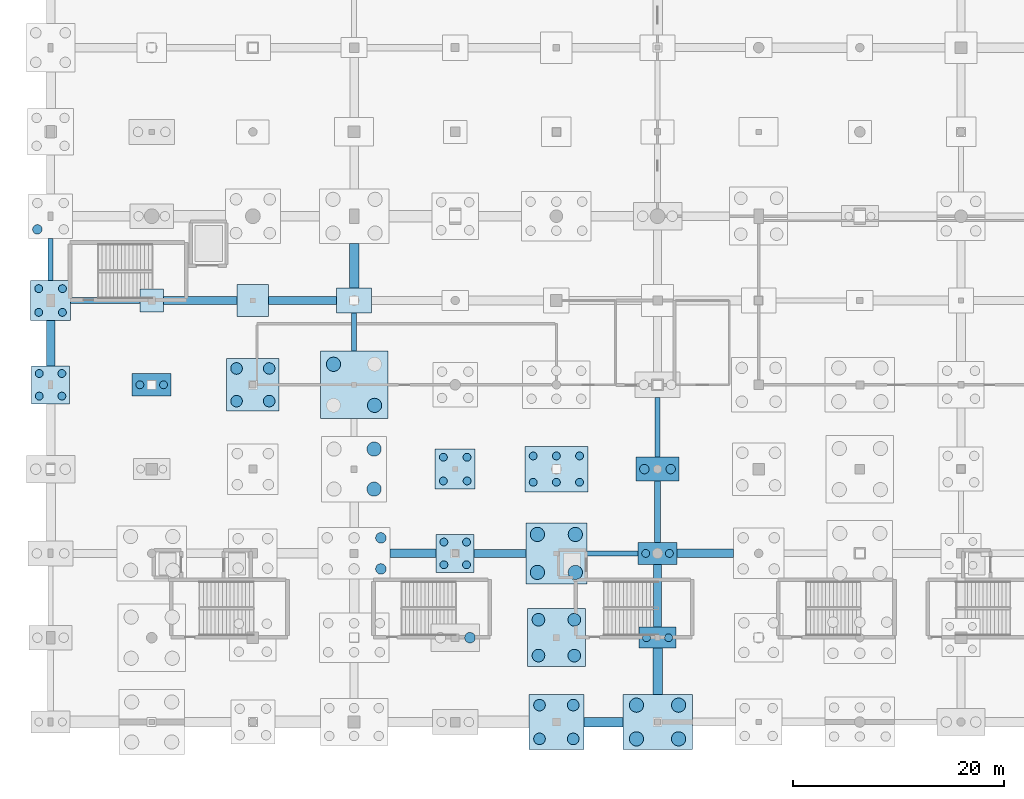
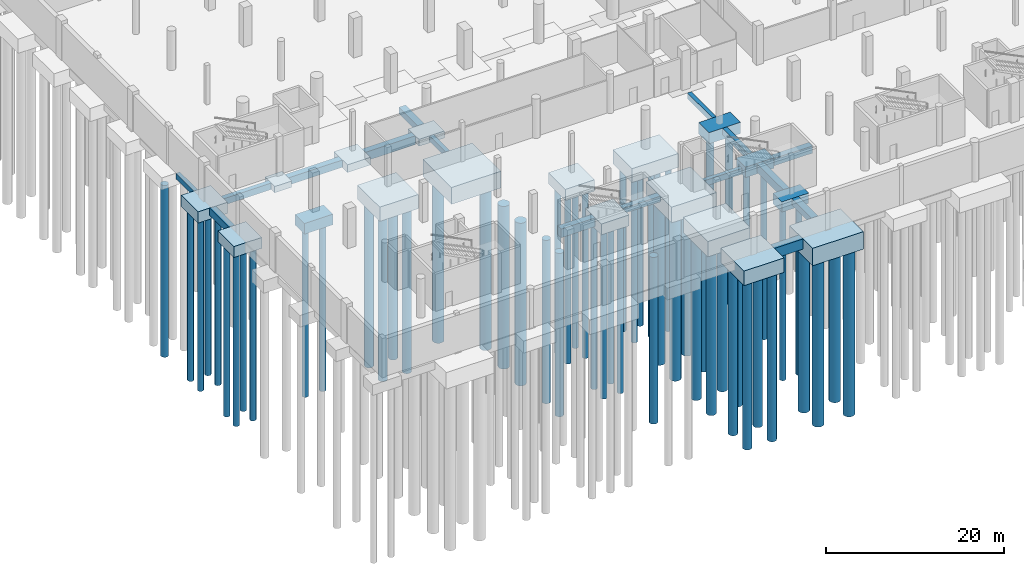
# One storey, part 2 of 44: 58 piles, 34 footings.
"""IFC4 building model written with IfcOpenShell, lengths in metres."""

from ifc_helpers import new_model, si_unit, direction, frame, origin, origin_2d, place, context, subcontext, project, spatial, rectangle, circle, extrude, material, material_profile, profile_set, type_object, element, save


model = new_model("IFC4")

# Units and contexts
model_context = context("Model", 3, precision=1e-05, world=origin(), true_north=direction((0.0, 1.0)))
body_context = subcontext(model_context, "Body", "Model", "MODEL_VIEW")
ifc_project = project(units=[si_unit("LENGTHUNIT", "METRE"), si_unit("AREAUNIT", "SQUARE_METRE"), si_unit("VOLUMEUNIT", "CUBIC_METRE"), si_unit("PLANEANGLEUNIT", "RADIAN"), si_unit("MASSUNIT", "GRAM", prefix="KILO")], contexts=[model_context])

# Site, building, storey
site_placement = place(None, origin())
site = spatial("IfcSite", under=ifc_project, at=site_placement, CompositionType="ELEMENT")
building_placement = place(site_placement, origin())
building = spatial("IfcBuilding", under=site, at=building_placement, Name="Danafjord Basin Convention Centre", CompositionType="ELEMENT")
storey_placement = place(building_placement, frame((0.0, 0.0, -5.39990234375)))
storey = spatial("IfcBuildingStorey", under=building, at=storey_placement, Name="B1", CompositionType="ELEMENT", Elevation=-5.39990234375)

# Footings
ifc_material_1 = material(Name="Concrete C40/50", Category="concrete")
footing_type_1 = type_object("IfcFootingType", Name="CAP-PC-01", PredefinedType="PILE_CAP", material=ifc_material_1)
footing_1_placement = place(storey_placement, frame((57.60009765625, 16.0, -1.400146484375), z_axis=(0.0, 0.0, 1.0), x_axis=(1.0, 0.0, 0.0)))
element("IfcFooting", 1, at=footing_1_placement, inside=storey, type_object=footing_type_1, Name="B1 pile cap PC-01 at (57.6, 16.0)", PredefinedType="PILE_CAP", context=body_context, shape_type="SweptSolid", body=[
    extrude(rectangle(XDim=3.5, YDim=2.0, at=origin_2d()), origin(), (0.0, 0.0, 1.0), 1.39990234375),
])
footing_type_2 = type_object("IfcFootingType", Name="CAP-PC-02", PredefinedType="PILE_CAP", material=ifc_material_1)
for number, where, z_axis, x_axis, name in (
    (2, (9.60009765625, 40.0, -2.10009765625), (0.0, 0.0, 1.0), (1.0, 0.0, 0.0), "B1 pile cap PC-02 at (9.6, 40.0)"),
    (3, (57.60009765625, 24.0, -1.4501953125), (0.0, 0.0, 1.0), (1.0, 0.0, 0.0), "B1 pile cap PC-02 at (57.6, 24.0)"),
):
    element("IfcFooting", number, at=place(storey_placement, frame(where, z_axis=z_axis, x_axis=x_axis)), inside=storey, type_object=footing_type_2, Name=name, PredefinedType="PILE_CAP", context=body_context, shape_type="SweptSolid", body=[
        extrude(rectangle(XDim=3.699951171875, YDim=2.10009765625, at=origin_2d()), origin(), (0.0, 0.0, 1.0), 1.449951171875),
    ])
footing_type_3 = type_object("IfcFootingType", Name="CAP-PC-03", PredefinedType="PILE_CAP", material=ifc_material_1)
footing_2_placement = place(storey_placement, frame((57.60009765625, 32.0, -1.55029296875), z_axis=(0.0, 0.0, 1.0), x_axis=(1.0, 0.0, 0.0)))
element("IfcFooting", 4, at=footing_2_placement, inside=storey, type_object=footing_type_3, Name="B1 pile cap PC-03 at (57.6, 32.0)", PredefinedType="PILE_CAP", context=body_context, shape_type="SweptSolid", body=[
    extrude(rectangle(XDim=4.10009765625, YDim=2.300048828125, at=origin_2d()), origin(), (0.0, 0.0, 1.0), 1.550048828125),
])
footing_type_4 = type_object("IfcFootingType", Name="CAP-PC-06", PredefinedType="PILE_CAP", material=ifc_material_1)
for number, where, z_axis, x_axis, name in (
    (5, (0.0, 40.0, -1.5), (0.0, 0.0, 1.0), (1.0, 0.0, 0.0), "B1 pile cap PC-06 at (0.0, 40.0)"),
    (6, (38.39990234375, 24.0, -2.150146484375), (0.0, 0.0, 1.0), (1.0, 0.0, 0.0), "B1 pile cap PC-06 at (38.4, 24.0)"),
):
    element("IfcFooting", number, at=place(storey_placement, frame(where, z_axis=z_axis, x_axis=x_axis)), inside=storey, type_object=footing_type_4, Name=name, PredefinedType="PILE_CAP", context=body_context, shape_type="SweptSolid", body=[
        extrude(rectangle(XDim=3.60009765625, YDim=3.60009765625, at=origin_2d()), origin(), (0.0, 0.0, 1.0), 1.5),
    ])
footing_type_5 = type_object("IfcFootingType", Name="CAP-PC-07", PredefinedType="PILE_CAP", material=ifc_material_1)
for number, where, z_axis, x_axis, name in (
    (7, (0.0, 48.0, -1.55029296875), (0.0, 0.0, 1.0), (1.0, 0.0, 0.0), "B1 pile cap PC-07 at (0.0, 48.0)"),
    (8, (38.39990234375, 32.0, -2.2001953125), (0.0, 0.0, 1.0), (1.0, 0.0, 0.0), "B1 pile cap PC-07 at (38.4, 32.0)"),
):
    element("IfcFooting", number, at=place(storey_placement, frame(where, z_axis=z_axis, x_axis=x_axis)), inside=storey, type_object=footing_type_5, Name=name, PredefinedType="PILE_CAP", context=body_context, shape_type="SweptSolid", body=[
        extrude(rectangle(XDim=3.800048828125, YDim=3.800048828125, at=origin_2d()), origin(), (0.0, 0.0, 1.0), 1.550048828125),
    ])
footing_type_6 = type_object("IfcFootingType", Name="CAP-PC-12", PredefinedType="PILE_CAP", material=ifc_material_1)
footing_3_placement = place(storey_placement, frame((19.199951171875, 40.0, -2.60009765625), z_axis=(0.0, 0.0, 1.0), x_axis=(1.0, 0.0, 0.0)))
element("IfcFooting", 9, at=footing_3_placement, inside=storey, type_object=footing_type_6, Name="B1 pile cap PC-12 at (19.2, 40.0)", PredefinedType="PILE_CAP", context=body_context, shape_type="SweptSolid", body=[
    extrude(rectangle(XDim=5.0, YDim=5.0, at=origin_2d()), origin(), (0.0, 0.0, 1.0), 1.949951171875),
])
footing_type_7 = type_object("IfcFootingType", Name="CAP-PC-13", PredefinedType="PILE_CAP", material=ifc_material_1)
footing_4_placement = place(storey_placement, frame((48.0, 8.0, -2.0), z_axis=(0.0, 0.0, 1.0), x_axis=(1.0, 0.0, 0.0)))
element("IfcFooting", 10, at=footing_4_placement, inside=storey, type_object=footing_type_7, Name="B1 pile cap PC-13 at (48.0, 8.0)", PredefinedType="PILE_CAP", context=body_context, shape_type="SweptSolid", body=[
    extrude(rectangle(XDim=5.199951171875, YDim=5.199951171875, at=origin_2d()), origin(), (0.0, 0.0, 1.0), 2.0),
])
footing_type_8 = type_object("IfcFootingType", Name="CAP-PC-14", PredefinedType="PILE_CAP", material=ifc_material_1)
footing_5_placement = place(storey_placement, frame((48.0, 16.0, -2.750244140625), z_axis=(0.0, 0.0, 1.0), x_axis=(1.0, 0.0, 0.0)))
element("IfcFooting", 11, at=footing_5_placement, inside=storey, type_object=footing_type_8, Name="B1 pile cap PC-14 at (48.0, 16.0)", PredefinedType="PILE_CAP", context=body_context, shape_type="SweptSolid", body=[
    extrude(rectangle(XDim=5.5, YDim=5.5, at=origin_2d()), origin(), (0.0, 0.0, 1.0), 2.10009765625),
])
footing_type_9 = type_object("IfcFootingType", Name="CAP-PC-15", PredefinedType="PILE_CAP", material=ifc_material_1)
footing_6_placement = place(storey_placement, frame((48.0, 24.0, -2.800048828125), z_axis=(0.0, 0.0, 1.0), x_axis=(1.0, 0.0, 0.0)))
element("IfcFooting", 12, at=footing_6_placement, inside=storey, type_object=footing_type_9, Name="B1 pile cap PC-15 at (48.0, 24.0)", PredefinedType="PILE_CAP", context=body_context, shape_type="SweptSolid", body=[
    extrude(rectangle(XDim=5.800048828125, YDim=5.800048828125, at=origin_2d()), origin(), (0.0, 0.0, 1.0), 2.14990234375),
])
footing_type_10 = type_object("IfcFootingType", Name="CAP-PC-16", PredefinedType="PILE_CAP", material=ifc_material_1)
footing_7_placement = place(storey_placement, frame((48.0, 32.0, -2.550048828125), z_axis=(0.0, 0.0, 1.0), x_axis=(1.0, 0.0, 0.0)))
element("IfcFooting", 13, at=footing_7_placement, inside=storey, type_object=footing_type_10, Name="B1 pile cap PC-16 at (48.0, 32.0)", PredefinedType="PILE_CAP", context=body_context, shape_type="SweptSolid", body=[
    extrude(rectangle(XDim=6.0, YDim=4.300048828125, at=origin_2d()), origin(), (0.0, 0.0, 1.0), 1.89990234375),
])
footing_type_11 = type_object("IfcFootingType", Name="CAP-PC-21", PredefinedType="PILE_CAP", material=ifc_material_1)
footing_8_placement = place(storey_placement, frame((28.800048828125, 40.0, -2.9501953125), z_axis=(0.0, 0.0, 1.0), x_axis=(1.0, 0.0, 0.0)))
element("IfcFooting", 14, at=footing_8_placement, inside=storey, type_object=footing_type_11, Name="B1 pile cap PC-21 at (28.8, 40.0)", PredefinedType="PILE_CAP", context=body_context, shape_type="SweptSolid", body=[
    extrude(rectangle(XDim=6.39990234375, YDim=6.39990234375, at=origin_2d()), origin(), (0.0, 0.0, 1.0), 2.300048828125),
])
footing_type_12 = type_object("IfcFootingType", Name="CAP-PC-22", PredefinedType="PILE_CAP", material=ifc_material_1)
footing_9_placement = place(storey_placement, frame((57.60009765625, 8.0, -2.400146484375), z_axis=(0.0, 0.0, 1.0), x_axis=(1.0, 0.0, 0.0)))
element("IfcFooting", 15, at=footing_9_placement, inside=storey, type_object=footing_type_12, Name="B1 pile cap PC-22 at (57.6, 8.0)", PredefinedType="PILE_CAP", context=body_context, shape_type="SweptSolid", body=[
    extrude(rectangle(XDim=6.60009765625, YDim=5.199951171875, at=origin_2d()), origin(), (0.0, 0.0, 1.0), 2.39990234375),
])
ifc_material_profile_1 = material_profile(ifc_material_1, rectangle(XDim=0.800048828125, YDim=1.0, at=origin_2d()), Name="GB 800x1000")
ifc_profile_set_1 = profile_set([ifc_material_profile_1], Name="Concrete C40/50")
footing_type_13 = type_object("IfcFootingType", Name="FBM-FB-01", PredefinedType="FOOTING_BEAM", material=ifc_profile_set_1)
footing_10_placement = place(storey_placement, frame((0.0, 41.800048828125, -0.5), z_axis=(0.0, 1.0, 0.0), x_axis=(-1.0, 0.0, 0.0)))
element("IfcFooting", 16, at=footing_10_placement, inside=storey, type_object=footing_type_13, Name="B1 foundation tie beam FB-01", PredefinedType="FOOTING_BEAM", context=body_context, shape_type="SweptSolid", body=[
    extrude(rectangle(XDim=0.800048828125, YDim=1.0, at=origin_2d()), origin(), (0.0, 0.0, 1.0), 4.300048828125),
])
footing_11_placement = place(storey_placement, frame((10.699951171875, 48.0, -1.150146484375), z_axis=(1.0, 0.0, 0.0), x_axis=(0.0, 1.0, 0.0)))
element("IfcFooting", 17, at=footing_11_placement, inside=storey, type_object=footing_type_13, Name="B1 foundation beam FB-01", PredefinedType="FOOTING_BEAM", context=body_context, shape_type="SweptSolid", body=[
    extrude(rectangle(XDim=0.800048828125, YDim=1.0, at=origin_2d()), origin(), (0.0, 0.0, 1.0), 7.0),
])
footing_12_placement = place(storey_placement, frame((59.449951171875, 24.0, -1.150146484375), z_axis=(1.0, 0.0, 0.0), x_axis=(0.0, 1.0, 0.0)))
element("IfcFooting", 18, at=footing_12_placement, inside=storey, type_object=footing_type_13, Name="B1 foundation beam FB-01", PredefinedType="FOOTING_BEAM", context=body_context, shape_type="SweptSolid", body=[
    extrude(rectangle(XDim=0.800048828125, YDim=1.0, at=origin_2d()), origin(), (0.0, 0.0, 1.0), 5.35009765625),
])
ifc_material_profile_2 = material_profile(ifc_material_1, rectangle(XDim=0.60009765625, YDim=0.89990234375, at=origin_2d()), Name="GB 600x900")
ifc_profile_set_2 = profile_set([ifc_material_profile_2], Name="Concrete C40/50")
footing_type_14 = type_object("IfcFootingType", Name="FBM-FB-02", PredefinedType="FOOTING_BEAM", material=ifc_profile_set_2)
footing_13_placement = place(storey_placement, frame((1.89990234375, 48.0, -1.10009765625), z_axis=(1.0, 0.0, 0.0), x_axis=(0.0, 1.0, 0.0)))
element("IfcFooting", 19, at=footing_13_placement, inside=storey, type_object=footing_type_14, Name="B1 foundation beam FB-02", PredefinedType="FOOTING_BEAM", context=body_context, shape_type="SweptSolid", body=[
    extrude(rectangle(XDim=0.60009765625, YDim=0.89990234375, at=origin_2d()), origin(), (0.0, 0.0, 1.0), 6.60009765625),
])
footing_14_placement = place(storey_placement, frame((57.60009765625, 25.050048828125, -0.4501953125), z_axis=(0.0, 1.0, 0.0), x_axis=(-1.0, 0.0, 0.0)))
element("IfcFooting", 20, at=footing_14_placement, inside=storey, type_object=footing_type_14, Name="B1 foundation tie beam FB-02", PredefinedType="FOOTING_BEAM", context=body_context, shape_type="SweptSolid", body=[
    extrude(rectangle(XDim=0.60009765625, YDim=0.89990234375, at=origin_2d()), origin(), (0.0, 0.0, 1.0), 5.800048828125),
])
ifc_material_profile_3 = material_profile(ifc_material_1, rectangle(XDim=0.5, YDim=0.800048828125, at=origin_2d()), Name="PCB 500x800")
ifc_profile_set_3 = profile_set([ifc_material_profile_3], Name="Concrete C40/50")
footing_type_15 = type_object("IfcFootingType", Name="FBM-FB-03", PredefinedType="FOOTING_BEAM", material=ifc_profile_set_3)
footing_15_placement = place(storey_placement, frame((0.0, 49.89990234375, -0.400146484375), z_axis=(0.0, 1.0, 0.0), x_axis=(-1.0, 0.0, 0.0)))
element("IfcFooting", 21, at=footing_15_placement, inside=storey, type_object=footing_type_15, Name="B1 foundation tie beam FB-03", PredefinedType="FOOTING_BEAM", context=body_context, shape_type="SweptSolid", body=[
    extrude(rectangle(XDim=0.5, YDim=0.800048828125, at=origin_2d()), origin(), (0.0, 0.0, 1.0), 4.0),
])
footing_16_placement = place(storey_placement, frame((28.800048828125, 43.199951171875, -1.050048828125), z_axis=(0.0, 1.0, 0.0), x_axis=(-1.0, 0.0, 0.0)))
element("IfcFooting", 22, at=footing_16_placement, inside=storey, type_object=footing_type_15, Name="B1 foundation tie beam FB-03", PredefinedType="FOOTING_BEAM", context=body_context, shape_type="SweptSolid", body=[
    extrude(rectangle(XDim=0.5, YDim=0.800048828125, at=origin_2d()), origin(), (0.0, 0.0, 1.0), 3.60009765625),
])
footing_17_placement = place(storey_placement, frame((50.89990234375, 24.0, -1.050048828125), z_axis=(1.0, 0.0, 0.0), x_axis=(0.0, 1.0, 0.0)))
element("IfcFooting", 23, at=footing_17_placement, inside=storey, type_object=footing_type_15, Name="B1 foundation beam FB-03", PredefinedType="FOOTING_BEAM", context=body_context, shape_type="SweptSolid", body=[
    extrude(rectangle(XDim=0.5, YDim=0.800048828125, at=origin_2d()), origin(), (0.0, 0.0, 1.0), 4.85009765625),
])
footing_18_placement = place(storey_placement, frame((57.60009765625, 33.14990234375, -0.400146484375), z_axis=(0.0, 1.0, 0.0), x_axis=(-1.0, 0.0, 0.0)))
element("IfcFooting", 24, at=footing_18_placement, inside=storey, type_object=footing_type_15, Name="B1 foundation tie beam FB-03", PredefinedType="FOOTING_BEAM", context=body_context, shape_type="SweptSolid", body=[
    extrude(rectangle(XDim=0.5, YDim=0.800048828125, at=origin_2d()), origin(), (0.0, 0.0, 1.0), 5.650146484375),
])
ifc_material_profile_4 = material_profile(ifc_material_1, rectangle(XDim=0.75, YDim=0.75, at=origin_2d()), Name="RC 750x750")
ifc_profile_set_4 = profile_set([ifc_material_profile_4], Name="Concrete C40/50")
footing_type_16 = type_object("IfcFootingType", Name="FBM-FB-04", PredefinedType="FOOTING_BEAM", material=ifc_profile_set_4)
footing_19_placement = place(storey_placement, frame((40.199951171875, 24.0, -1.025146484375), z_axis=(1.0, 0.0, 0.0), x_axis=(0.0, 1.0, 0.0)))
element("IfcFooting", 25, at=footing_19_placement, inside=storey, type_object=footing_type_16, Name="B1 foundation beam FB-04", PredefinedType="FOOTING_BEAM", context=body_context, shape_type="SweptSolid", body=[
    extrude(rectangle(XDim=0.75, YDim=0.75, at=origin_2d()), origin(), (0.0, 0.0, 1.0), 4.900146484375),
])
ifc_material_profile_5 = material_profile(ifc_material_1, rectangle(XDim=0.89990234375, YDim=0.89990234375, at=origin_2d()), Name="RC 900x900")
ifc_profile_set_5 = profile_set([ifc_material_profile_5], Name="Concrete C40/50")
footing_type_17 = type_object("IfcFootingType", Name="FBM-FB-05", PredefinedType="FOOTING_BEAM", material=ifc_profile_set_5)
footing_20_placement = place(storey_placement, frame((28.800048828125, 49.199951171875, -1.10009765625), z_axis=(0.0, 1.0, 0.0), x_axis=(-1.0, 0.0, 0.0)))
element("IfcFooting", 26, at=footing_20_placement, inside=storey, type_object=footing_type_17, Name="B1 foundation tie beam FB-05", PredefinedType="FOOTING_BEAM", context=body_context, shape_type="SweptSolid", body=[
    extrude(rectangle(XDim=0.89990234375, YDim=0.89990234375, at=origin_2d()), origin(), (0.0, 0.0, 1.0), 4.199951171875),
])
footing_21_placement = place(storey_placement, frame((57.60009765625, 10.60009765625, -0.4501953125), z_axis=(0.0, 1.0, 0.0), x_axis=(-1.0, 0.0, 0.0)))
element("IfcFooting", 27, at=footing_21_placement, inside=storey, type_object=footing_type_17, Name="B1 foundation tie beam FB-05", PredefinedType="FOOTING_BEAM", context=body_context, shape_type="SweptSolid", body=[
    extrude(rectangle(XDim=0.89990234375, YDim=0.89990234375, at=origin_2d()), origin(), (0.0, 0.0, 1.0), 4.39990234375),
])
ifc_material_profile_6 = material_profile(ifc_material_1, rectangle(XDim=0.800048828125, YDim=1.199951171875, at=origin_2d()), Name="RC 1200x800")
ifc_profile_set_6 = profile_set([ifc_material_profile_6], Name="Concrete C40/50")
footing_type_18 = type_object("IfcFootingType", Name="FBM-FB-06", PredefinedType="FOOTING_BEAM", material=ifc_profile_set_6)
footing_22_placement = place(storey_placement, frame((20.699951171875, 48.0, -1.25), z_axis=(1.0, 0.0, 0.0), x_axis=(0.0, 1.0, 0.0)))
element("IfcFooting", 28, at=footing_22_placement, inside=storey, type_object=footing_type_18, Name="B1 foundation beam FB-06", PredefinedType="FOOTING_BEAM", context=body_context, shape_type="SweptSolid", body=[
    extrude(rectangle(XDim=0.800048828125, YDim=1.199951171875, at=origin_2d()), origin(), (0.0, 0.0, 1.0), 6.449951171875),
])
footing_23_placement = place(storey_placement, frame((32.199951171875, 24.0, -1.25), z_axis=(1.0, 0.0, 0.0), x_axis=(0.0, 1.0, 0.0)))
element("IfcFooting", 29, at=footing_23_placement, inside=storey, type_object=footing_type_18, Name="B1 foundation beam FB-06", PredefinedType="FOOTING_BEAM", context=body_context, shape_type="SweptSolid", body=[
    extrude(rectangle(XDim=0.800048828125, YDim=1.199951171875, at=origin_2d()), origin(), (0.0, 0.0, 1.0), 4.400146484375),
])
footing_24_placement = place(storey_placement, frame((57.60009765625, 17.0, -0.60009765625), z_axis=(0.0, 1.0, 0.0), x_axis=(-1.0, 0.0, 0.0)))
element("IfcFooting", 30, at=footing_24_placement, inside=storey, type_object=footing_type_18, Name="B1 foundation tie beam FB-06", PredefinedType="FOOTING_BEAM", context=body_context, shape_type="SweptSolid", body=[
    extrude(rectangle(XDim=0.800048828125, YDim=1.199951171875, at=origin_2d()), origin(), (0.0, 0.0, 1.0), 5.949951171875),
])
ifc_material_profile_7 = material_profile(ifc_material_1, rectangle(XDim=0.89990234375, YDim=1.39990234375, at=origin_2d()), Name="RC 1400x900")
ifc_profile_set_7 = profile_set([ifc_material_profile_7], Name="Concrete C40/50")
footing_type_19 = type_object("IfcFootingType", Name="FBM-SF-02", PredefinedType="STRIP_FOOTING", material=ifc_profile_set_7)
footing_25_placement = place(storey_placement, frame((50.60009765625, 8.0, -0.7001953125), z_axis=(1.0, 0.0, 0.0), x_axis=(0.0, 1.0, 0.0)))
element("IfcFooting", 31, at=footing_25_placement, inside=storey, type_object=footing_type_19, Name="B1 foundation beam SF-02", PredefinedType="STRIP_FOOTING", context=body_context, shape_type="SweptSolid", body=[
    extrude(rectangle(XDim=0.89990234375, YDim=1.39990234375, at=origin_2d()), origin(), (0.0, 0.0, 1.0), 3.699951171875),
])
ifc_material_2 = material(Name="Concrete C35/45", Category="concrete")
footing_type_20 = type_object("IfcFootingType", Name="PAD-PF-02", PredefinedType="PAD_FOOTING", material=ifc_material_2)
footing_26_placement = place(storey_placement, frame((9.60009765625, 48.0, -1.500244140625), z_axis=(0.0, 0.0, 1.0), x_axis=(1.0, 0.0, 0.0)))
element("IfcFooting", 32, at=footing_26_placement, inside=storey, type_object=footing_type_20, Name="B1 pad footing PF-02 at (9.6, 48.0)", PredefinedType="PAD_FOOTING", context=body_context, shape_type="SweptSolid", body=[
    extrude(rectangle(XDim=2.199951171875, YDim=2.199951171875, at=origin_2d()), origin(), (0.0, 0.0, 1.0), 0.85009765625),
])
footing_type_21 = type_object("IfcFootingType", Name="PAD-PF-06", PredefinedType="PAD_FOOTING", material=ifc_material_2)
footing_27_placement = place(storey_placement, frame((19.199951171875, 48.0, -1.7001953125), z_axis=(0.0, 0.0, 1.0), x_axis=(1.0, 0.0, 0.0)))
element("IfcFooting", 33, at=footing_27_placement, inside=storey, type_object=footing_type_21, Name="B1 pad footing PF-06 at (19.2, 48.0)", PredefinedType="PAD_FOOTING", context=body_context, shape_type="SweptSolid", body=[
    extrude(rectangle(XDim=3.0, YDim=3.0, at=origin_2d()), origin(), (0.0, 0.0, 1.0), 1.050048828125),
])
footing_type_22 = type_object("IfcFootingType", Name="PAD-PF-09", PredefinedType="PAD_FOOTING", material=ifc_material_2)
footing_28_placement = place(storey_placement, frame((28.800048828125, 48.0, -1.60009765625), z_axis=(0.0, 0.0, 1.0), x_axis=(1.0, 0.0, 0.0)))
element("IfcFooting", 34, at=footing_28_placement, inside=storey, type_object=footing_type_22, Name="B1 pad footing PF-09 at (28.8, 48.0)", PredefinedType="PAD_FOOTING", context=body_context, shape_type="SweptSolid", body=[
    extrude(rectangle(XDim=3.300048828125, YDim=2.39990234375, at=origin_2d()), origin(), (0.0, 0.0, 1.0), 0.949951171875),
])

# Piles
ifc_material_profile_8 = material_profile(ifc_material_1, circle(Radius=0.5, at=origin_2d()), Name="PILE D1000")
ifc_profile_set_8 = profile_set([ifc_material_profile_8], Name="Concrete C40/50")
pile_type_1 = type_object("IfcPileType", Name="PILE-PL-1000", PredefinedType="BORED", material=ifc_profile_set_8)
for number, where, z_axis, x_axis, name in (
    (35, (31.35009765625, 22.52490234375, -2.7001953125), (0.0, 0.0, -1.0), (1.0, 0.0, 0.0), "PC-19 bored pile 3-1"),
    (36, (31.35009765625, 25.47509765625, -2.7001953125), (0.0, 0.0, -1.0), (1.0, 0.0, 0.0), "PC-19 bored pile 3-2"),
):
    element("IfcPile", number, at=place(storey_placement, frame(where, z_axis=z_axis, x_axis=x_axis)), inside=storey, type_object=pile_type_1, Name=name, PredefinedType="BORED", context=body_context, shape_type="SweptSolid", body=[
        extrude(circle(Radius=0.5, at=origin_2d()), origin(), (0.0, 0.0, 1.0), 22.39990234375),
    ])
pile_1_placement = place(storey_placement, frame((39.800048828125, 16.0, -2.25), z_axis=(0.0, 0.0, -1.0), x_axis=(1.0, 0.0, 0.0)))
element("IfcPile", 37, at=pile_1_placement, inside=storey, type_object=pile_type_1, Name="PC-05 bored pile 2-1", PredefinedType="BORED", context=body_context, shape_type="SweptSolid", body=[
    extrude(circle(Radius=0.5, at=origin_2d()), origin(), (0.0, 0.0, 1.0), 22.85009765625),
])
ifc_material_profile_9 = material_profile(ifc_material_1, circle(Radius=0.550048828125, at=origin_2d()), Name="PILE D1100")
ifc_profile_set_9 = profile_set([ifc_material_profile_9], Name="Concrete C40/50")
pile_type_2 = type_object("IfcPileType", Name="PILE-PL-1100", PredefinedType="BORED", material=ifc_profile_set_9)
for number, where, z_axis, x_axis, name in (
    (38, (17.64990234375, 38.449951171875, -2.5), (0.0, 0.0, -1.0), (1.0, 0.0, 0.0), "PC-12 bored pile 1-1"),
    (39, (17.64990234375, 41.550048828125, -2.5), (0.0, 0.0, -1.0), (1.0, 0.0, 0.0), "PC-12 bored pile 1-2"),
    (40, (20.75, 38.449951171875, -2.5), (0.0, 0.0, -1.0), (1.0, 0.0, 0.0), "PC-12 bored pile 2-1"),
    (41, (20.75, 41.550048828125, -2.5), (0.0, 0.0, -1.0), (1.0, 0.0, 0.0), "PC-12 bored pile 2-2"),
):
    element("IfcPile", number, at=place(storey_placement, frame(where, z_axis=z_axis, x_axis=x_axis)), inside=storey, type_object=pile_type_2, Name=name, PredefinedType="BORED", context=body_context, shape_type="SweptSolid", body=[
        extrude(circle(Radius=0.550048828125, at=origin_2d()), origin(), (0.0, 0.0, 1.0), 22.60009765625),
    ])
for number, where, z_axis, x_axis, name in (
    (42, (46.39990234375, 6.39990234375, -1.900146484375), (0.0, 0.0, -1.0), (1.0, 0.0, 0.0), "PC-13 bored pile 1-1"),
    (43, (46.39990234375, 9.60009765625, -1.900146484375), (0.0, 0.0, -1.0), (1.0, 0.0, 0.0), "PC-13 bored pile 1-2"),
    (44, (49.60009765625, 6.39990234375, -1.900146484375), (0.0, 0.0, -1.0), (1.0, 0.0, 0.0), "PC-13 bored pile 2-1"),
    (45, (49.60009765625, 9.60009765625, -1.900146484375), (0.0, 0.0, -1.0), (1.0, 0.0, 0.0), "PC-13 bored pile 2-2"),
):
    element("IfcPile", number, at=place(storey_placement, frame(where, z_axis=z_axis, x_axis=x_axis)), inside=storey, type_object=pile_type_2, Name=name, PredefinedType="BORED", context=body_context, shape_type="SweptSolid", body=[
        extrude(circle(Radius=0.550048828125, at=origin_2d()), origin(), (0.0, 0.0, 1.0), 23.199951171875),
    ])
ifc_material_profile_10 = material_profile(ifc_material_1, circle(Radius=0.60009765625, at=origin_2d()), Name="PILE D1200")
ifc_profile_set_10 = profile_set([ifc_material_profile_10], Name="Concrete C40/50")
pile_type_3 = type_object("IfcPileType", Name="PILE-PL-1200", PredefinedType="BORED", material=ifc_profile_set_10)
for number, where, z_axis, x_axis, name in (
    (46, (46.300048828125, 14.300048828125, -2.650146484375), (0.0, 0.0, -1.0), (1.0, 0.0, 0.0), "PC-14 bored pile 1-1"),
    (47, (46.300048828125, 17.699951171875, -2.650146484375), (0.0, 0.0, -1.0), (1.0, 0.0, 0.0), "PC-14 bored pile 1-2"),
    (48, (49.699951171875, 14.300048828125, -2.650146484375), (0.0, 0.0, -1.0), (1.0, 0.0, 0.0), "PC-14 bored pile 2-1"),
    (49, (49.699951171875, 17.699951171875, -2.650146484375), (0.0, 0.0, -1.0), (1.0, 0.0, 0.0), "PC-14 bored pile 2-2"),
):
    element("IfcPile", number, at=place(storey_placement, frame(where, z_axis=z_axis, x_axis=x_axis)), inside=storey, type_object=pile_type_3, Name=name, PredefinedType="BORED", context=body_context, shape_type="SweptSolid", body=[
        extrude(circle(Radius=0.60009765625, at=origin_2d()), origin(), (0.0, 0.0, 1.0), 22.449951171875),
    ])
ifc_material_profile_11 = material_profile(ifc_material_1, circle(Radius=0.675048828125, at=origin_2d()), Name="PILE D1350")
ifc_profile_set_11 = profile_set([ifc_material_profile_11], Name="Concrete C40/50")
pile_type_4 = type_object("IfcPileType", Name="PILE-PL-1350", PredefinedType="BORED", material=ifc_profile_set_11)
for number, where, z_axis, x_axis, name in (
    (50, (30.699951171875, 30.10009765625, -2.800048828125), (0.0, 0.0, -1.0), (1.0, 0.0, 0.0), "PC-20 bored pile 2-1"),
    (51, (30.699951171875, 33.89990234375, -2.800048828125), (0.0, 0.0, -1.0), (1.0, 0.0, 0.0), "PC-20 bored pile 2-2"),
):
    element("IfcPile", number, at=place(storey_placement, frame(where, z_axis=z_axis, x_axis=x_axis)), inside=storey, type_object=pile_type_4, Name=name, PredefinedType="BORED", context=body_context, shape_type="SweptSolid", body=[
        extrude(circle(Radius=0.675048828125, at=origin_2d()), origin(), (0.0, 0.0, 1.0), 22.300048828125),
    ])
for number, where, z_axis, x_axis, name in (
    (52, (26.85009765625, 41.949951171875, -2.85009765625), (0.0, 0.0, -1.0), (1.0, 0.0, 0.0), "PC-21 bored pile 1-2"),
    (53, (30.75, 38.050048828125, -2.85009765625), (0.0, 0.0, -1.0), (1.0, 0.0, 0.0), "PC-21 bored pile 2-1"),
):
    element("IfcPile", number, at=place(storey_placement, frame(where, z_axis=z_axis, x_axis=x_axis)), inside=storey, type_object=pile_type_4, Name=name, PredefinedType="BORED", context=body_context, shape_type="SweptSolid", body=[
        extrude(circle(Radius=0.675048828125, at=origin_2d()), origin(), (0.0, 0.0, 1.0), 22.25),
    ])
for number, where, z_axis, x_axis, name in (
    (54, (46.199951171875, 22.199951171875, -2.7001953125), (0.0, 0.0, -1.0), (1.0, 0.0, 0.0), "PC-15 bored pile 1-1"),
    (55, (46.199951171875, 25.800048828125, -2.7001953125), (0.0, 0.0, -1.0), (1.0, 0.0, 0.0), "PC-15 bored pile 1-2"),
    (56, (49.800048828125, 22.199951171875, -2.7001953125), (0.0, 0.0, -1.0), (1.0, 0.0, 0.0), "PC-15 bored pile 2-1"),
    (57, (49.800048828125, 25.800048828125, -2.7001953125), (0.0, 0.0, -1.0), (1.0, 0.0, 0.0), "PC-15 bored pile 2-2"),
):
    element("IfcPile", number, at=place(storey_placement, frame(where, z_axis=z_axis, x_axis=x_axis)), inside=storey, type_object=pile_type_4, Name=name, PredefinedType="BORED", context=body_context, shape_type="SweptSolid", body=[
        extrude(circle(Radius=0.675048828125, at=origin_2d()), origin(), (0.0, 0.0, 1.0), 22.39990234375),
    ])
for number, where, z_axis, x_axis, name in (
    (58, (55.60009765625, 6.39990234375, -2.300048828125), (0.0, 0.0, -1.0), (1.0, 0.0, 0.0), "PC-22 bored pile 1-1"),
    (59, (55.60009765625, 9.60009765625, -2.300048828125), (0.0, 0.0, -1.0), (1.0, 0.0, 0.0), "PC-22 bored pile 1-2"),
    (60, (59.60009765625, 6.39990234375, -2.300048828125), (0.0, 0.0, -1.0), (1.0, 0.0, 0.0), "PC-22 bored pile 2-1"),
    (61, (59.60009765625, 9.60009765625, -2.300048828125), (0.0, 0.0, -1.0), (1.0, 0.0, 0.0), "PC-22 bored pile 2-2"),
):
    element("IfcPile", number, at=place(storey_placement, frame(where, z_axis=z_axis, x_axis=x_axis)), inside=storey, type_object=pile_type_4, Name=name, PredefinedType="BORED", context=body_context, shape_type="SweptSolid", body=[
        extrude(circle(Radius=0.675048828125, at=origin_2d()), origin(), (0.0, 0.0, 1.0), 22.800048828125),
    ])
ifc_material_profile_12 = material_profile(ifc_material_1, circle(Radius=0.375, at=origin_2d()), Name="PILE D750")
ifc_profile_set_12 = profile_set([ifc_material_profile_12], Name="Concrete C40/50")
pile_type_5 = type_object("IfcPileType", Name="PILE-PL-750", PredefinedType="BORED", material=ifc_profile_set_12)
for number, where, z_axis, x_axis, name in (
    (62, (-1.074951171875, 38.925048828125, -1.400146484375), (0.0, 0.0, -1.0), (1.0, 0.0, 0.0), "PC-06 bored pile 1-1"),
    (63, (-1.074951171875, 41.074951171875, -1.400146484375), (0.0, 0.0, -1.0), (1.0, 0.0, 0.0), "PC-06 bored pile 1-2"),
    (64, (1.074951171875, 38.925048828125, -1.400146484375), (0.0, 0.0, -1.0), (1.0, 0.0, 0.0), "PC-06 bored pile 2-1"),
    (65, (1.074951171875, 41.074951171875, -1.400146484375), (0.0, 0.0, -1.0), (1.0, 0.0, 0.0), "PC-06 bored pile 2-2"),
):
    element("IfcPile", number, at=place(storey_placement, frame(where, z_axis=z_axis, x_axis=x_axis)), inside=storey, type_object=pile_type_5, Name=name, PredefinedType="BORED", context=body_context, shape_type="SweptSolid", body=[
        extrude(circle(Radius=0.375, at=origin_2d()), origin(), (0.0, 0.0, 1.0), 23.699951171875),
    ])
for number, where, z_axis, x_axis, name in (
    (66, (-1.125, 46.875, -1.4501953125), (0.0, 0.0, -1.0), (1.0, 0.0, 0.0), "PC-07 bored pile 1-1"),
    (67, (-1.125, 49.125, -1.4501953125), (0.0, 0.0, -1.0), (1.0, 0.0, 0.0), "PC-07 bored pile 1-2"),
    (68, (1.125, 46.875, -1.4501953125), (0.0, 0.0, -1.0), (1.0, 0.0, 0.0), "PC-07 bored pile 2-1"),
    (69, (1.125, 49.125, -1.4501953125), (0.0, 0.0, -1.0), (1.0, 0.0, 0.0), "PC-07 bored pile 2-2"),
):
    element("IfcPile", number, at=place(storey_placement, frame(where, z_axis=z_axis, x_axis=x_axis)), inside=storey, type_object=pile_type_5, Name=name, PredefinedType="BORED", context=body_context, shape_type="SweptSolid", body=[
        extrude(circle(Radius=0.375, at=origin_2d()), origin(), (0.0, 0.0, 1.0), 23.64990234375),
    ])
for number, where, z_axis, x_axis, name in (
    (70, (8.47509765625, 40.0, -2.0), (0.0, 0.0, -1.0), (1.0, 0.0, 0.0), "PC-02 bored pile 1-1"),
    (71, (10.72509765625, 40.0, -2.0), (0.0, 0.0, -1.0), (1.0, 0.0, 0.0), "PC-02 bored pile 2-1"),
):
    element("IfcPile", number, at=place(storey_placement, frame(where, z_axis=z_axis, x_axis=x_axis)), inside=storey, type_object=pile_type_5, Name=name, PredefinedType="BORED", context=body_context, shape_type="SweptSolid", body=[
        extrude(circle(Radius=0.375, at=origin_2d()), origin(), (0.0, 0.0, 1.0), 23.10009765625),
    ])
for number, where, z_axis, x_axis, name in (
    (72, (37.324951171875, 22.925048828125, -2.050048828125), (0.0, 0.0, -1.0), (1.0, 0.0, 0.0), "PC-06 bored pile 1-1"),
    (73, (37.324951171875, 25.074951171875, -2.050048828125), (0.0, 0.0, -1.0), (1.0, 0.0, 0.0), "PC-06 bored pile 1-2"),
    (74, (39.47509765625, 22.925048828125, -2.050048828125), (0.0, 0.0, -1.0), (1.0, 0.0, 0.0), "PC-06 bored pile 2-1"),
    (75, (39.47509765625, 25.074951171875, -2.050048828125), (0.0, 0.0, -1.0), (1.0, 0.0, 0.0), "PC-06 bored pile 2-2"),
):
    element("IfcPile", number, at=place(storey_placement, frame(where, z_axis=z_axis, x_axis=x_axis)), inside=storey, type_object=pile_type_5, Name=name, PredefinedType="BORED", context=body_context, shape_type="SweptSolid", body=[
        extrude(circle(Radius=0.375, at=origin_2d()), origin(), (0.0, 0.0, 1.0), 23.050048828125),
    ])
for number, where, z_axis, x_axis, name in (
    (76, (37.27490234375, 30.875, -2.10009765625), (0.0, 0.0, -1.0), (1.0, 0.0, 0.0), "PC-07 bored pile 1-1"),
    (77, (37.27490234375, 33.125, -2.10009765625), (0.0, 0.0, -1.0), (1.0, 0.0, 0.0), "PC-07 bored pile 1-2"),
    (78, (39.52490234375, 30.875, -2.10009765625), (0.0, 0.0, -1.0), (1.0, 0.0, 0.0), "PC-07 bored pile 2-1"),
    (79, (39.52490234375, 33.125, -2.10009765625), (0.0, 0.0, -1.0), (1.0, 0.0, 0.0), "PC-07 bored pile 2-2"),
):
    element("IfcPile", number, at=place(storey_placement, frame(where, z_axis=z_axis, x_axis=x_axis)), inside=storey, type_object=pile_type_5, Name=name, PredefinedType="BORED", context=body_context, shape_type="SweptSolid", body=[
        extrude(circle(Radius=0.375, at=origin_2d()), origin(), (0.0, 0.0, 1.0), 23.0),
    ])
for number, where, z_axis, x_axis, name in (
    (80, (45.800048828125, 30.75, -2.4501953125), (0.0, 0.0, -1.0), (1.0, 0.0, 0.0), "PC-16 bored pile 1-1"),
    (81, (45.800048828125, 33.25, -2.4501953125), (0.0, 0.0, -1.0), (1.0, 0.0, 0.0), "PC-16 bored pile 1-2"),
    (82, (48.0, 30.75, -2.4501953125), (0.0, 0.0, -1.0), (1.0, 0.0, 0.0), "PC-16 bored pile 2-1"),
    (83, (48.0, 33.25, -2.4501953125), (0.0, 0.0, -1.0), (1.0, 0.0, 0.0), "PC-16 bored pile 2-2"),
    (84, (50.199951171875, 30.75, -2.4501953125), (0.0, 0.0, -1.0), (1.0, 0.0, 0.0), "PC-16 bored pile 3-1"),
    (85, (50.199951171875, 33.25, -2.4501953125), (0.0, 0.0, -1.0), (1.0, 0.0, 0.0), "PC-16 bored pile 3-2"),
):
    element("IfcPile", number, at=place(storey_placement, frame(where, z_axis=z_axis, x_axis=x_axis)), inside=storey, type_object=pile_type_5, Name=name, PredefinedType="BORED", context=body_context, shape_type="SweptSolid", body=[
        extrude(circle(Radius=0.375, at=origin_2d()), origin(), (0.0, 0.0, 1.0), 22.64990234375),
    ])
for number, where, z_axis, x_axis, name in (
    (86, (56.550048828125, 16.0, -1.300048828125), (0.0, 0.0, -1.0), (1.0, 0.0, 0.0), "PC-01 bored pile 1-1"),
    (87, (58.64990234375, 16.0, -1.300048828125), (0.0, 0.0, -1.0), (1.0, 0.0, 0.0), "PC-01 bored pile 2-1"),
):
    element("IfcPile", number, at=place(storey_placement, frame(where, z_axis=z_axis, x_axis=x_axis)), inside=storey, type_object=pile_type_5, Name=name, PredefinedType="BORED", context=body_context, shape_type="SweptSolid", body=[
        extrude(circle(Radius=0.375, at=origin_2d()), origin(), (0.0, 0.0, 1.0), 23.800048828125),
    ])
for number, where, z_axis, x_axis, name in (
    (88, (56.47509765625, 24.0, -1.35009765625), (0.0, 0.0, -1.0), (1.0, 0.0, 0.0), "PC-02 bored pile 1-1"),
    (89, (58.72509765625, 24.0, -1.35009765625), (0.0, 0.0, -1.0), (1.0, 0.0, 0.0), "PC-02 bored pile 2-1"),
):
    element("IfcPile", number, at=place(storey_placement, frame(where, z_axis=z_axis, x_axis=x_axis)), inside=storey, type_object=pile_type_5, Name=name, PredefinedType="BORED", context=body_context, shape_type="SweptSolid", body=[
        extrude(circle(Radius=0.375, at=origin_2d()), origin(), (0.0, 0.0, 1.0), 23.75),
    ])
ifc_material_profile_13 = material_profile(ifc_material_1, circle(Radius=0.449951171875, at=origin_2d()), Name="PILE D900")
ifc_profile_set_13 = profile_set([ifc_material_profile_13], Name="Concrete C40/50")
pile_type_6 = type_object("IfcPileType", Name="PILE-PL-900", PredefinedType="BORED", material=ifc_profile_set_13)
pile_2_placement = place(storey_placement, frame((-1.25, 54.75, -1.550048828125), z_axis=(0.0, 0.0, -1.0), x_axis=(1.0, 0.0, 0.0)))
element("IfcPile", 90, at=pile_2_placement, inside=storey, type_object=pile_type_6, Name="PC-08 bored pile 1-1", PredefinedType="BORED", context=body_context, shape_type="SweptSolid", body=[
    extrude(circle(Radius=0.449951171875, at=origin_2d()), origin(), (0.0, 0.0, 1.0), 23.550048828125),
])
for number, where, z_axis, x_axis, name in (
    (91, (56.35009765625, 32.0, -1.4501953125), (0.0, 0.0, -1.0), (1.0, 0.0, 0.0), "PC-03 bored pile 1-1"),
    (92, (58.85009765625, 32.0, -1.4501953125), (0.0, 0.0, -1.0), (1.0, 0.0, 0.0), "PC-03 bored pile 2-1"),
):
    element("IfcPile", number, at=place(storey_placement, frame(where, z_axis=z_axis, x_axis=x_axis)), inside=storey, type_object=pile_type_6, Name=name, PredefinedType="BORED", context=body_context, shape_type="SweptSolid", body=[
        extrude(circle(Radius=0.449951171875, at=origin_2d()), origin(), (0.0, 0.0, 1.0), 23.64990234375),
    ])

save(model, "model.ifc")
